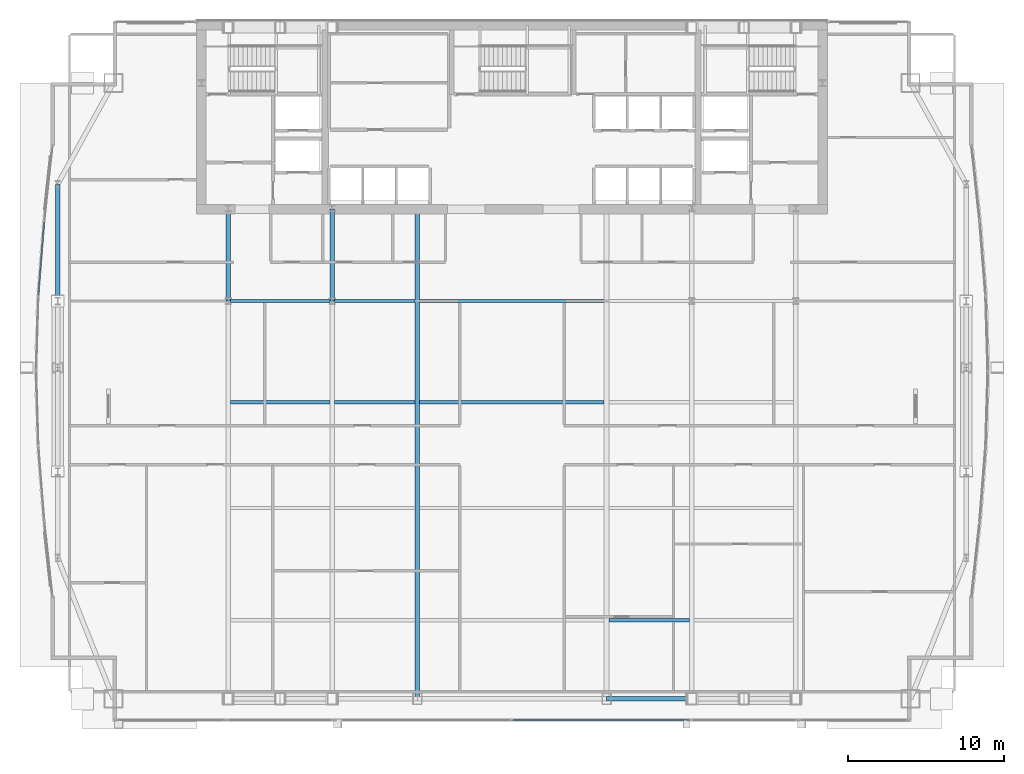
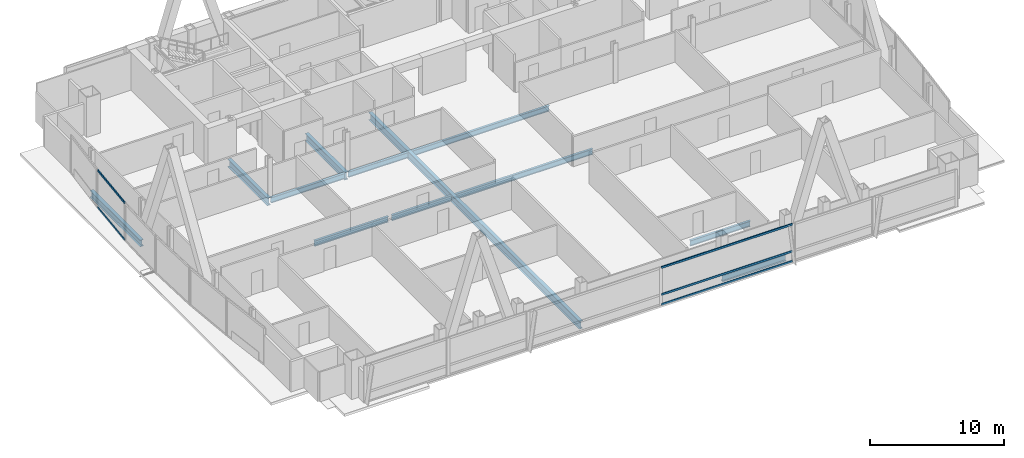
# One storey, part 11 of 32: 12 beams, 5 members, 2 elements without a shape of their own.
"""IFC4 building model written with IfcOpenShell, lengths in metres."""

from ifc_helpers import new_model, si_unit, direction, frame, origin, origin_2d, place, context, subcontext, project, spatial, hollow_rectangle, i_section, extrude, material, material_profile, profile_set, type_object, element, aggregate, save


model = new_model("IFC4")

# Units and contexts
model_context = context("Model", 3, precision=1e-05, world=origin(), true_north=direction((0.0, 1.0)))
body_context = subcontext(model_context, "Body", "Model", "MODEL_VIEW")
ifc_project = project(units=[si_unit("LENGTHUNIT", "METRE"), si_unit("AREAUNIT", "SQUARE_METRE"), si_unit("VOLUMEUNIT", "CUBIC_METRE"), si_unit("PLANEANGLEUNIT", "RADIAN"), si_unit("MASSUNIT", "GRAM", prefix="KILO")], contexts=[model_context])

# Site, building, storey
site_placement = place(None, origin())
site = spatial("IfcSite", under=ifc_project, at=site_placement, CompositionType="ELEMENT")
building_placement = place(site_placement, origin())
building = spatial("IfcBuilding", under=site, at=building_placement, Name="Khoronbel Lancet Exchange", CompositionType="ELEMENT")
storey_placement = place(building_placement, frame((0.0, 0.0, 188.60009765625)))
storey = spatial("IfcBuildingStorey", under=building, at=storey_placement, Name="L47", CompositionType="ELEMENT", Elevation=188.60009765625)

# Beams
ifc_material_1 = material(Name="Steel S355", Category="steel")
ifc_material_profile_1 = material_profile(ifc_material_1, i_section(OverallWidth=0.300048828125, OverallDepth=0.699951171875, WebThickness=0.01708984375, FlangeThickness=0.031982421875, at=origin_2d()), Name="HEB 700")
ifc_profile_set_1 = profile_set([ifc_material_profile_1], Name="Steel S355")
beam_type_1 = type_object("IfcBeamType", Name="BM-BG3", PredefinedType="BEAM", material=ifc_profile_set_1)
for number, where, z_axis, x_axis, name in (
    (1, (18.22509765625, 35.699951171875, -0.510009765625), (0.0, 1.0, 0.0), (-1.0, 0.0, 0.0), "Level L47 spine tie girder GN1"),
    (2, (24.89990234375, 35.699951171875, -0.510009765625), (0.0, 1.0, 0.0), (-1.0, 0.0, 0.0), "Level L47 spine tie girder GN2"),
):
    element("IfcBeam", number, at=place(storey_placement, frame(where, z_axis=z_axis, x_axis=x_axis)), inside=storey, type_object=beam_type_1, Name=name, PredefinedType="BEAM", context=body_context, shape_type="SweptSolid", body=[
        extrude(i_section(OverallWidth=0.300048828125, OverallDepth=0.699951171875, WebThickness=0.01708984375, FlangeThickness=0.031982421875, at=origin_2d()), origin(), (0.0, 0.0, 1.0), 5.900146484375),
    ])
beam_1_placement = place(storey_placement, frame((30.375, 10.14990234375, -0.510009765625), z_axis=(0.0, 1.0, 0.0), x_axis=(-1.0, 0.0, 0.0)))
element("IfcBeam", 3, at=beam_1_placement, inside=storey, type_object=beam_type_1, Name="Level L47 primary floor girder G3", PredefinedType="BEAM", context=body_context, shape_type="SweptSolid", body=[
    extrude(i_section(OverallWidth=0.300048828125, OverallDepth=0.699951171875, WebThickness=0.01708984375, FlangeThickness=0.031982421875, at=origin_2d()), origin(), (0.0, 0.0, 1.0), 31.4501953125),
])
ifc_material_profile_2 = material_profile(ifc_material_1, i_section(OverallWidth=0.199951171875, OverallDepth=0.5, WebThickness=0.01025390625, FlangeThickness=0.01611328125, at=origin_2d()), Name="IPE 500")
ifc_profile_set_2 = profile_set([ifc_material_profile_2], Name="Steel S355")
beam_type_2 = type_object("IfcBeamType", Name="BM-BJ3", PredefinedType="JOIST", material=ifc_profile_set_2)
beam_2_placement = place(storey_placement, frame((42.675048828125, 15.199951171875, -0.41015625), z_axis=(1.0, 0.0, 0.0), x_axis=(0.0, 1.0, 0.0)))
element("IfcBeam", 4, at=beam_2_placement, inside=storey, type_object=beam_type_2, Name="Level L47 secondary composite joist J04", PredefinedType="JOIST", context=body_context, shape_type="SweptSolid", body=[
    extrude(i_section(OverallWidth=0.199951171875, OverallDepth=0.5, WebThickness=0.01025390625, FlangeThickness=0.01611328125, at=origin_2d()), origin(), (0.0, 0.0, 1.0), 5.175048828125),
])
beam_3_placement = place(storey_placement, frame((18.375, 29.199951171875, -0.41015625), z_axis=(1.0, 0.0, 0.0), x_axis=(0.0, 1.0, 0.0)))
element("IfcBeam", 5, at=beam_3_placement, inside=storey, type_object=beam_type_2, Name="Level L47 secondary composite joist J11", PredefinedType="JOIST", context=body_context, shape_type="SweptSolid", body=[
    extrude(i_section(OverallWidth=0.199951171875, OverallDepth=0.5, WebThickness=0.01025390625, FlangeThickness=0.01611328125, at=origin_2d()), origin(), (0.0, 0.0, 1.0), 6.375),
])
beam_4_placement = place(storey_placement, frame((25.050048828125, 29.199951171875, -0.41015625), z_axis=(1.0, 0.0, 0.0), x_axis=(0.0, 1.0, 0.0)))
element("IfcBeam", 6, at=beam_4_placement, inside=storey, type_object=beam_type_2, Name="Level L47 secondary composite joist J12", PredefinedType="JOIST", context=body_context, shape_type="SweptSolid", body=[
    extrude(i_section(OverallWidth=0.199951171875, OverallDepth=0.5, WebThickness=0.01025390625, FlangeThickness=0.01611328125, at=origin_2d()), origin(), (0.0, 0.0, 1.0), 5.175048828125),
])
beam_5_placement = place(storey_placement, frame((30.52490234375, 29.199951171875, -0.41015625), z_axis=(1.0, 0.0, 0.0), x_axis=(0.0, 1.0, 0.0)))
element("IfcBeam", 7, at=beam_5_placement, inside=storey, type_object=beam_type_2, Name="Level L47 secondary composite joist J13", PredefinedType="JOIST", context=body_context, shape_type="SweptSolid", body=[
    extrude(i_section(OverallWidth=0.199951171875, OverallDepth=0.5, WebThickness=0.01025390625, FlangeThickness=0.01611328125, at=origin_2d()), origin(), (0.0, 0.0, 1.0), 11.85009765625),
])
beam_6_placement = place(storey_placement, frame((18.375, 35.699951171875, -0.41015625), z_axis=(1.0, 0.0, 0.0), x_axis=(0.0, 1.0, 0.0)))
element("IfcBeam", 8, at=beam_6_placement, inside=storey, type_object=beam_type_2, Name="Level L47 secondary composite joist J16", PredefinedType="JOIST", context=body_context, shape_type="SweptSolid", body=[
    extrude(i_section(OverallWidth=0.199951171875, OverallDepth=0.5, WebThickness=0.01025390625, FlangeThickness=0.01611328125, at=origin_2d()), origin(), (0.0, 0.0, 1.0), 6.375),
])
beam_7_placement = place(storey_placement, frame((25.050048828125, 35.699951171875, -0.41015625), z_axis=(1.0, 0.0, 0.0), x_axis=(0.0, 1.0, 0.0)))
element("IfcBeam", 9, at=beam_7_placement, inside=storey, type_object=beam_type_2, Name="Level L47 secondary composite joist J17", PredefinedType="JOIST", context=body_context, shape_type="SweptSolid", body=[
    extrude(i_section(OverallWidth=0.199951171875, OverallDepth=0.5, WebThickness=0.01025390625, FlangeThickness=0.01611328125, at=origin_2d()), origin(), (0.0, 0.0, 1.0), 5.175048828125),
])
beam_8_placement = place(storey_placement, frame((30.52490234375, 35.699951171875, -0.41015625), z_axis=(1.0, 0.0, 0.0), x_axis=(0.0, 1.0, 0.0)))
element("IfcBeam", 10, at=beam_8_placement, inside=storey, type_object=beam_type_2, Name="Level L47 secondary composite joist J18", PredefinedType="JOIST", context=body_context, shape_type="SweptSolid", body=[
    extrude(i_section(OverallWidth=0.199951171875, OverallDepth=0.5, WebThickness=0.01025390625, FlangeThickness=0.01611328125, at=origin_2d()), origin(), (0.0, 0.0, 1.0), 11.85009765625),
])
ifc_material_profile_3 = material_profile(ifc_material_1, i_section(OverallWidth=0.300048828125, OverallDepth=0.60009765625, WebThickness=0.015380859375, FlangeThickness=0.030029296875, at=origin_2d()), Name="HEB 600")
ifc_profile_set_3 = profile_set([ifc_material_profile_3], Name="Steel S355")
beam_type_3 = type_object("IfcBeamType", Name="BM-BSP2", PredefinedType="SPANDREL", material=ifc_profile_set_3)
beam_9_placement = place(storey_placement, frame((42.52490234375, 10.14990234375, -0.460205078125), z_axis=(1.0, 0.0, 0.0), x_axis=(0.0, 1.0, 0.0)))
element("IfcBeam", 11, at=beam_9_placement, inside=storey, type_object=beam_type_3, Name="Level L47 perimeter spandrel beam SP05", PredefinedType="SPANDREL", context=body_context, shape_type="SweptSolid", body=[
    extrude(i_section(OverallWidth=0.300048828125, OverallDepth=0.60009765625, WebThickness=0.015380859375, FlangeThickness=0.030029296875, at=origin_2d()), origin(), (0.0, 0.0, 1.0), 5.47509765625),
])
beam_10_placement = place(storey_placement, frame((7.27001953125, 43.199951171875, -0.460205078125), z_axis=(0.0, -1.0, 0.0), x_axis=(1.0, 0.0, 0.0)))
element("IfcBeam", 12, at=beam_10_placement, inside=storey, type_object=beam_type_3, Name="Level L47 perimeter spandrel beam SP15", PredefinedType="SPANDREL", context=body_context, shape_type="SweptSolid", body=[
    extrude(i_section(OverallWidth=0.300048828125, OverallDepth=0.60009765625, WebThickness=0.015380859375, FlangeThickness=0.030029296875, at=origin_2d()), origin(), (0.0, 0.0, 1.0), 7.5),
])

# Curtain wall, members
ifc_material_2 = material(Name="Low-E Solar Control Insulating Glass", Category="glass")
curtain_wall_type_1 = type_object("IfcCurtainWallType", Name="CW-4", PredefinedType="NOTDEFINED", material=ifc_material_2)
curtain_wall_1_placement = place(storey_placement, origin())
curtain_wall_1 = element("IfcCurtainWall", 13, at=curtain_wall_1_placement, inside=storey, type_object=curtain_wall_type_1, Name="Unitised curtain wall CW-L47-E08", PredefinedType="NOTDEFINED")
ifc_material_3 = material(Name="Bronze-Anodised Aluminium 6063-T6", Category="aluminium")
ifc_material_profile_4 = material_profile(ifc_material_3, hollow_rectangle(XDim=0.0849609375, YDim=0.179931640625, WallThickness=0.0048828125, at=origin_2d()), Name="ALU TRANSOM 85x180")
ifc_profile_set_4 = profile_set([ifc_material_profile_4], Name="Bronze-Anodised Aluminium 6063-T6")
member_type = type_object("IfcMemberType", Name="MEM-CWT1", PredefinedType="USERDEFINED", material=ifc_profile_set_4)
member_1_placement = place(storey_placement, frame((6.03662109375, 36.103271484375, 0.04248046875), z_axis=(0.079249179589, 0.996854837744, 0.0), x_axis=(-0.996854837744, 0.079249179589, 0.0)))
member_1 = element("IfcMember", 14, at=member_1_placement, type_object=member_type, Name="CW4 transom 1.1", ObjectType="TRANSOM", PredefinedType="USERDEFINED", context=body_context, shape_type="SweptSolid", body=[
    extrude(hollow_rectangle(XDim=0.0849609375, YDim=0.179931640625, WallThickness=0.0048828125, at=origin_2d()), origin(), (0.0, 0.0, 1.0), 4.69482421875),
])
member_2_placement = place(storey_placement, frame((6.03662109375, 36.103271484375, 3.3974609375), z_axis=(0.079249179589, 0.996854837744, 0.0), x_axis=(-0.996854837744, 0.079249179589, 0.0)))
member_2 = element("IfcMember", 15, at=member_2_placement, type_object=member_type, Name="CW4 transom 1.2", ObjectType="TRANSOM", PredefinedType="USERDEFINED", context=body_context, shape_type="SweptSolid", body=[
    extrude(hollow_rectangle(XDim=0.0849609375, YDim=0.179931640625, WallThickness=0.0048828125, at=origin_2d()), origin(), (0.0, 0.0, 1.0), 4.69482421875),
])
aggregate(curtain_wall_1, [member_1, member_2])

curtain_wall_type_2 = type_object("IfcCurtainWallType", Name="CW-3", PredefinedType="NOTDEFINED", material=ifc_material_2)
curtain_wall_2_placement = place(storey_placement, origin())
curtain_wall_2 = element("IfcCurtainWall", 16, at=curtain_wall_2_placement, inside=storey, type_object=curtain_wall_type_2, Name="Unitised curtain wall CW-L47-SCV", PredefinedType="NOTDEFINED")
member_3_placement = place(storey_placement, frame((36.492431640625, 8.7900390625, 0.04248046875), z_axis=(1.0, 0.0, 0.0), x_axis=(0.0, 1.0, 0.0)))
member_3 = element("IfcMember", 17, at=member_3_placement, type_object=member_type, Name="CW3 transom 2.1", ObjectType="TRANSOM", PredefinedType="USERDEFINED", context=body_context, shape_type="SweptSolid", body=[
    extrude(hollow_rectangle(XDim=0.0849609375, YDim=0.179931640625, WallThickness=0.0048828125, at=origin_2d()), origin(), (0.0, 0.0, 1.0), 11.322509765625),
])
member_4_placement = place(storey_placement, frame((36.492431640625, 8.7900390625, 0.949951171875), z_axis=(1.0, 0.0, 0.0), x_axis=(0.0, 1.0, 0.0)))
member_4 = element("IfcMember", 18, at=member_4_placement, type_object=member_type, Name="CW3 transom 2.2", ObjectType="TRANSOM", PredefinedType="USERDEFINED", context=body_context, shape_type="SweptSolid", body=[
    extrude(hollow_rectangle(XDim=0.0849609375, YDim=0.179931640625, WallThickness=0.0048828125, at=origin_2d()), origin(), (0.0, 0.0, 1.0), 11.322509765625),
])
member_5_placement = place(storey_placement, frame((36.492431640625, 8.7900390625, 3.3974609375), z_axis=(1.0, 0.0, 0.0), x_axis=(0.0, 1.0, 0.0)))
member_5 = element("IfcMember", 19, at=member_5_placement, type_object=member_type, Name="CW3 transom 2.3", ObjectType="TRANSOM", PredefinedType="USERDEFINED", context=body_context, shape_type="SweptSolid", body=[
    extrude(hollow_rectangle(XDim=0.0849609375, YDim=0.179931640625, WallThickness=0.0048828125, at=origin_2d()), origin(), (0.0, 0.0, 1.0), 11.322509765625),
])
aggregate(curtain_wall_2, [member_3, member_4, member_5])

save(model, "model.ifc")
